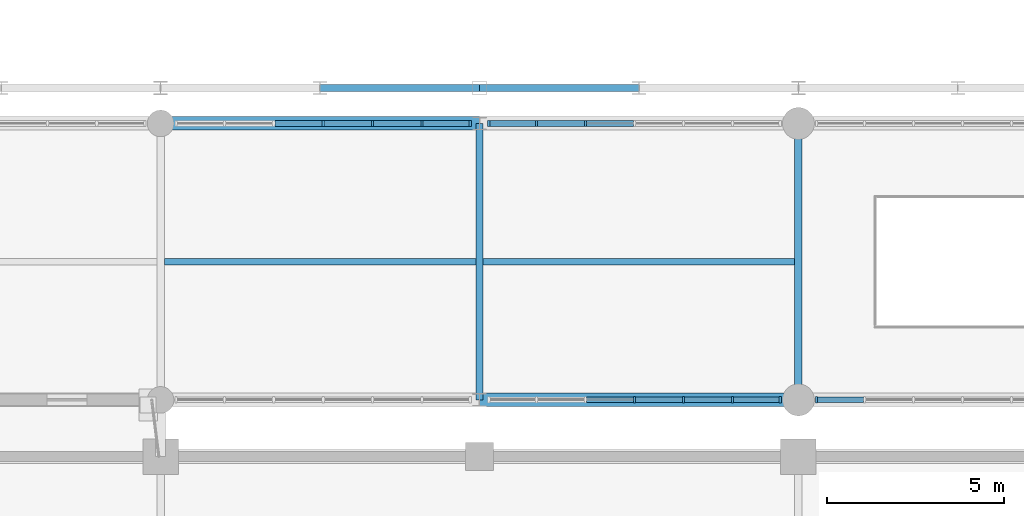
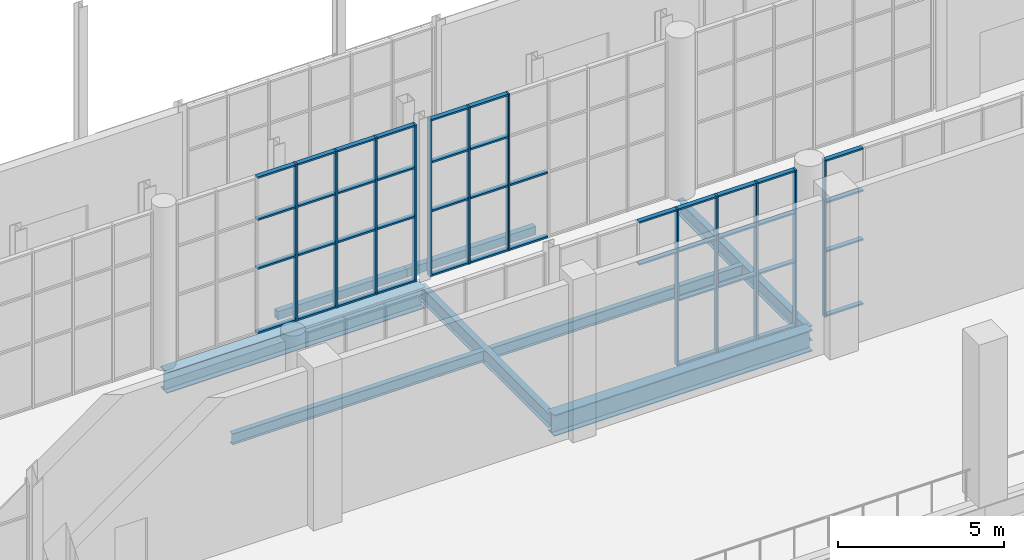
# One storey, part 45 of 159: 56 members, 8 beams, 4 elements without a shape of their own.
"""IFC4 building model written with IfcOpenShell, lengths in metres."""

from ifc_helpers import new_model, si_unit, direction, frame, origin, origin_2d, place, context, subcontext, project, spatial, rectangle, hollow_rectangle, i_section, extrude, material, layer, layer_set, material_profile, profile_set, type_object, element, aggregate, save


model = new_model("IFC4")

# Units and contexts
model_context = context("Model", 3, precision=1e-05, world=origin(), true_north=direction((0.0, 1.0)))
body_context = subcontext(model_context, "Body", "Model", "MODEL_VIEW")
ifc_project = project(units=[si_unit("LENGTHUNIT", "METRE"), si_unit("AREAUNIT", "SQUARE_METRE"), si_unit("VOLUMEUNIT", "CUBIC_METRE"), si_unit("PLANEANGLEUNIT", "RADIAN"), si_unit("MASSUNIT", "GRAM", prefix="KILO")], contexts=[model_context])

# Site, building, storey
site_placement = place(None, origin())
site = spatial("IfcSite", under=ifc_project, at=site_placement, CompositionType="ELEMENT")
building_placement = place(site_placement, origin())
building = spatial("IfcBuilding", under=site, at=building_placement, Name="Cazmaro Siding Exhibition Halls", CompositionType="ELEMENT")
storey_placement = place(building_placement, frame((0.0, 0.0, 6.0)))
storey = spatial("IfcBuildingStorey", under=building, at=storey_placement, Name="L01", CompositionType="ELEMENT", Elevation=6.0)

# Beams
ifc_material_1 = material(Name="Steel ASTM A992 Grade 50", Category="steel")
ifc_material_profile_1 = material_profile(ifc_material_1, i_section(OverallWidth=0.2099609375, OverallDepth=0.535888671875, WebThickness=0.010986328125, FlangeThickness=0.01708984375, at=origin_2d()), Name="W21X68")
ifc_profile_set_1 = profile_set([ifc_material_profile_1], Name="Steel ASTM A992 Grade 50")
beam_type_1 = type_object("IfcBeamType", Name="B-02", PredefinedType="BEAM", material=ifc_profile_set_1)
for number, where, z_axis, x_axis, name in (
    (1, (117.0, 55.199951171875, -0.488037109375), (0.0, 1.0, 0.0), (-1.0, 0.0, 0.0), "Beam B-02 BM-1711"),
    (2, (126.0, 55.199951171875, -0.488037109375), (0.0, 1.0, 0.0), (-1.0, 0.0, 0.0), "Beam B-02 BM-1714"),
):
    element("IfcBeam", number, at=place(storey_placement, frame(where, z_axis=z_axis, x_axis=x_axis)), inside=storey, type_object=beam_type_1, Name=name, PredefinedType="BEAM", context=body_context, shape_type="SweptSolid", body=[
        extrude(i_section(OverallWidth=0.2099609375, OverallDepth=0.535888671875, WebThickness=0.010986328125, FlangeThickness=0.01708984375, at=origin_2d()), origin(), (0.0, 0.0, 1.0), 7.800048828125),
    ])

# Curtain wall, members
ifc_material_2 = material(Name="Anodized Bronze Aluminum and Solar-Control Low-E Glazing", Category="aluminium")
ifc_layer = layer(ifc_material_2, 0.179931640625)
ifc_layer_set = layer_set([ifc_layer], Name="Anodized Bronze Aluminum and Solar-Control Low-E Glazing")
curtain_wall_type = type_object("IfcCurtainWallType", Name="CWS-01", PredefinedType="USERDEFINED", material=ifc_layer_set)
curtain_wall_1_placement = place(storey_placement, origin())
curtain_wall_1 = element("IfcCurtainWall", 3, at=curtain_wall_1_placement, inside=storey, type_object=curtain_wall_type, Name="Glazed Curtain Wall CWS-01 CW-183", ObjectType="GLAZED CURTAIN WALL", PredefinedType="USERDEFINED")
ifc_material_3 = material(Name="Anodized Bronze Extruded Aluminum", Category="aluminium")
ifc_material_profile_2 = material_profile(ifc_material_3, rectangle(XDim=0.179931640625, YDim=0.06005859375, at=origin_2d()), Name="CWM-01")
ifc_profile_set_2 = profile_set([ifc_material_profile_2], Name="Anodized Bronze Extruded Aluminum")
member_type_1 = type_object("IfcMemberType", Name="CWM-01", PredefinedType="MULLION", material=ifc_profile_set_2)
member_1_placement = place(storey_placement, frame((116.739990234375, 63.0, 0.0), z_axis=(0.0, 0.0, 1.0), x_axis=(0.0, -1.0, 0.0)))
member_1 = element("IfcMember", 4, at=member_1_placement, type_object=member_type_1, Name="CWS-01 mullion 1", PredefinedType="MULLION", context=body_context, shape_type="SweptSolid", body=[
    extrude(rectangle(XDim=0.179931640625, YDim=0.06005859375, at=origin_2d()), origin(), (0.0, 0.0, 1.0), 5.780029296875),
])
member_2_placement = place(storey_placement, frame((115.376220703125, 63.0, 0.0), z_axis=(0.0, 0.0, 1.0), x_axis=(0.0, -1.0, 0.0)))
member_2 = element("IfcMember", 5, at=member_2_placement, type_object=member_type_1, Name="CWS-01 mullion 2", PredefinedType="MULLION", context=body_context, shape_type="SweptSolid", body=[
    extrude(rectangle(XDim=0.179931640625, YDim=0.06005859375, at=origin_2d()), origin(), (0.0, 0.0, 1.0), 5.780029296875),
])
member_3_placement = place(storey_placement, frame((113.982666015625, 63.0, 0.0), z_axis=(0.0, 0.0, 1.0), x_axis=(0.0, -1.0, 0.0)))
member_3 = element("IfcMember", 6, at=member_3_placement, type_object=member_type_1, Name="CWS-01 mullion 3", PredefinedType="MULLION", context=body_context, shape_type="SweptSolid", body=[
    extrude(rectangle(XDim=0.179931640625, YDim=0.06005859375, at=origin_2d()), origin(), (0.0, 0.0, 1.0), 5.780029296875),
])
member_4_placement = place(storey_placement, frame((112.589111328125, 63.0, 0.0), z_axis=(0.0, 0.0, 1.0), x_axis=(0.0, -1.0, 0.0)))
member_4 = element("IfcMember", 7, at=member_4_placement, type_object=member_type_1, Name="CWS-01 mullion 4", PredefinedType="MULLION", context=body_context, shape_type="SweptSolid", body=[
    extrude(rectangle(XDim=0.179931640625, YDim=0.06005859375, at=origin_2d()), origin(), (0.0, 0.0, 1.0), 5.780029296875),
])

curtain_wall_2_placement = place(storey_placement, origin())
curtain_wall_2 = element("IfcCurtainWall", 8, at=curtain_wall_2_placement, inside=storey, type_object=curtain_wall_type, Name="Glazed Curtain Wall CWS-01 CW-186", ObjectType="GLAZED CURTAIN WALL", PredefinedType="USERDEFINED")
member_5_placement = place(storey_placement, frame((121.37353515625, 55.199951171875, 0.0), z_axis=(0.0, 0.0, 1.0), x_axis=(0.0, 1.0, 0.0)))
member_5 = element("IfcMember", 9, at=member_5_placement, type_object=member_type_1, Name="CWS-01 mullion 4", PredefinedType="MULLION", context=body_context, shape_type="SweptSolid", body=[
    extrude(rectangle(XDim=0.179931640625, YDim=0.06005859375, at=origin_2d()), origin(), (0.0, 0.0, 1.0), 5.780029296875),
])
member_6_placement = place(storey_placement, frame((122.754638671875, 55.199951171875, 0.0), z_axis=(0.0, 0.0, 1.0), x_axis=(0.0, 1.0, 0.0)))
member_6 = element("IfcMember", 10, at=member_6_placement, type_object=member_type_1, Name="CWS-01 mullion 5", PredefinedType="MULLION", context=body_context, shape_type="SweptSolid", body=[
    extrude(rectangle(XDim=0.179931640625, YDim=0.06005859375, at=origin_2d()), origin(), (0.0, 0.0, 1.0), 5.780029296875),
])
member_7_placement = place(storey_placement, frame((124.1357421875, 55.199951171875, 0.0), z_axis=(0.0, 0.0, 1.0), x_axis=(0.0, 1.0, 0.0)))
member_7 = element("IfcMember", 11, at=member_7_placement, type_object=member_type_1, Name="CWS-01 mullion 6", PredefinedType="MULLION", context=body_context, shape_type="SweptSolid", body=[
    extrude(rectangle(XDim=0.179931640625, YDim=0.06005859375, at=origin_2d()), origin(), (0.0, 0.0, 1.0), 5.780029296875),
])
member_8_placement = place(storey_placement, frame((125.487060546875, 55.199951171875, 0.0), z_axis=(0.0, 0.0, 1.0), x_axis=(0.0, 1.0, 0.0)))
member_8 = element("IfcMember", 12, at=member_8_placement, type_object=member_type_1, Name="CWS-01 mullion 7", PredefinedType="MULLION", context=body_context, shape_type="SweptSolid", body=[
    extrude(rectangle(XDim=0.179931640625, YDim=0.06005859375, at=origin_2d()), origin(), (0.0, 0.0, 1.0), 5.780029296875),
])

curtain_wall_3_placement = place(storey_placement, origin())
curtain_wall_3 = element("IfcCurtainWall", 13, at=curtain_wall_3_placement, inside=storey, type_object=curtain_wall_type, Name="Glazed Curtain Wall CWS-01 CW-188", ObjectType="GLAZED CURTAIN WALL", PredefinedType="USERDEFINED")
member_9_placement = place(storey_placement, frame((119.992431640625, 63.0, 0.0), z_axis=(0.0, 0.0, 1.0), x_axis=(0.0, -1.0, 0.0)))
member_9 = element("IfcMember", 14, at=member_9_placement, type_object=member_type_1, Name="CWS-01 mullion 5", PredefinedType="MULLION", context=body_context, shape_type="SweptSolid", body=[
    extrude(rectangle(XDim=0.179931640625, YDim=0.06005859375, at=origin_2d()), origin(), (0.0, 0.0, 1.0), 5.780029296875),
])
member_10_placement = place(storey_placement, frame((118.611083984375, 63.0, 0.0), z_axis=(0.0, 0.0, 1.0), x_axis=(0.0, -1.0, 0.0)))
member_10 = element("IfcMember", 15, at=member_10_placement, type_object=member_type_1, Name="CWS-01 mullion 6", PredefinedType="MULLION", context=body_context, shape_type="SweptSolid", body=[
    extrude(rectangle(XDim=0.179931640625, YDim=0.06005859375, at=origin_2d()), origin(), (0.0, 0.0, 1.0), 5.780029296875),
])
member_11_placement = place(storey_placement, frame((117.260009765625, 63.0, 0.0), z_axis=(0.0, 0.0, 1.0), x_axis=(0.0, -1.0, 0.0)))
member_11 = element("IfcMember", 16, at=member_11_placement, type_object=member_type_1, Name="CWS-01 mullion 7", PredefinedType="MULLION", context=body_context, shape_type="SweptSolid", body=[
    extrude(rectangle(XDim=0.179931640625, YDim=0.06005859375, at=origin_2d()), origin(), (0.0, 0.0, 1.0), 5.780029296875),
])

# Curtain wall, member
curtain_wall_4_placement = place(storey_placement, origin())
curtain_wall_4 = element("IfcCurtainWall", 17, at=curtain_wall_4_placement, inside=storey, type_object=curtain_wall_type, Name="Glazed Curtain Wall CWS-01 CW-192", ObjectType="GLAZED CURTAIN WALL", PredefinedType="USERDEFINED")
member_12_placement = place(storey_placement, frame((126.512939453125, 55.199951171875, 0.0), z_axis=(0.0, 0.0, 1.0), x_axis=(0.0, 1.0, 0.0)))
member_12 = element("IfcMember", 18, at=member_12_placement, type_object=member_type_1, Name="CWS-01 mullion 1", PredefinedType="MULLION", context=body_context, shape_type="SweptSolid", body=[
    extrude(rectangle(XDim=0.179931640625, YDim=0.06005859375, at=origin_2d()), origin(), (0.0, 0.0, 1.0), 5.780029296875),
])

# Member
ifc_material_4 = material(Name="Anodized Bronze Extruded Aluminum", Category="aluminium")
ifc_material_profile_3 = material_profile(ifc_material_4, rectangle(XDim=0.159912109375, YDim=0.06005859375, at=origin_2d()), Name="CWT-01")
ifc_profile_set_3 = profile_set([ifc_material_profile_3], Name="Anodized Bronze Extruded Aluminum")
member_type_2 = type_object("IfcMemberType", Name="CWT-01", PredefinedType="MULLION", material=ifc_profile_set_3)
member_13_placement = place(storey_placement, frame((116.7099609375, 63.0, 0.030029296875), z_axis=(-1.0, 0.0, 0.0), x_axis=(0.0, -1.0, 0.0)))
member_13 = element("IfcMember", 19, at=member_13_placement, type_object=member_type_2, Name="CWS-01 transom 1.1", ObjectType="TRANSOM", PredefinedType="USERDEFINED", context=body_context, shape_type="SweptSolid", body=[
    extrude(rectangle(XDim=0.159912109375, YDim=0.06005859375, at=origin_2d()), origin(), (0.0, 0.0, 1.0), 1.3037109375),
])

member_14_placement = place(storey_placement, frame((116.7099609375, 63.0, 2.39990234375), z_axis=(-1.0, 0.0, 0.0), x_axis=(0.0, -1.0, 0.0)))
member_14 = element("IfcMember", 20, at=member_14_placement, type_object=member_type_2, Name="CWS-01 transom 1.2", ObjectType="TRANSOM", PredefinedType="USERDEFINED", context=body_context, shape_type="SweptSolid", body=[
    extrude(rectangle(XDim=0.159912109375, YDim=0.06005859375, at=origin_2d()), origin(), (0.0, 0.0, 1.0), 1.3037109375),
])

member_15_placement = place(storey_placement, frame((116.7099609375, 63.0, 4.199951171875), z_axis=(-1.0, 0.0, 0.0), x_axis=(0.0, -1.0, 0.0)))
member_15 = element("IfcMember", 21, at=member_15_placement, type_object=member_type_2, Name="CWS-01 transom 1.3", ObjectType="TRANSOM", PredefinedType="USERDEFINED", context=body_context, shape_type="SweptSolid", body=[
    extrude(rectangle(XDim=0.159912109375, YDim=0.06005859375, at=origin_2d()), origin(), (0.0, 0.0, 1.0), 1.3037109375),
])

member_16_placement = place(storey_placement, frame((116.7099609375, 63.0, 5.75), z_axis=(-1.0, 0.0, 0.0), x_axis=(0.0, -1.0, 0.0)))
member_16 = element("IfcMember", 22, at=member_16_placement, type_object=member_type_2, Name="CWS-01 transom 1.4", ObjectType="TRANSOM", PredefinedType="USERDEFINED", context=body_context, shape_type="SweptSolid", body=[
    extrude(rectangle(XDim=0.159912109375, YDim=0.06005859375, at=origin_2d()), origin(), (0.0, 0.0, 1.0), 1.3037109375),
])

member_17_placement = place(storey_placement, frame((115.346435546875, 63.0, 0.030029296875), z_axis=(-1.0, 0.0, 0.0), x_axis=(0.0, -1.0, 0.0)))
member_17 = element("IfcMember", 23, at=member_17_placement, type_object=member_type_2, Name="CWS-01 transom 2.1", ObjectType="TRANSOM", PredefinedType="USERDEFINED", context=body_context, shape_type="SweptSolid", body=[
    extrude(rectangle(XDim=0.159912109375, YDim=0.06005859375, at=origin_2d()), origin(), (0.0, 0.0, 1.0), 1.333740234375),
])

member_18_placement = place(storey_placement, frame((115.346435546875, 63.0, 2.39990234375), z_axis=(-1.0, 0.0, 0.0), x_axis=(0.0, -1.0, 0.0)))
member_18 = element("IfcMember", 24, at=member_18_placement, type_object=member_type_2, Name="CWS-01 transom 2.2", ObjectType="TRANSOM", PredefinedType="USERDEFINED", context=body_context, shape_type="SweptSolid", body=[
    extrude(rectangle(XDim=0.159912109375, YDim=0.06005859375, at=origin_2d()), origin(), (0.0, 0.0, 1.0), 1.333740234375),
])

member_19_placement = place(storey_placement, frame((115.346435546875, 63.0, 4.199951171875), z_axis=(-1.0, 0.0, 0.0), x_axis=(0.0, -1.0, 0.0)))
member_19 = element("IfcMember", 25, at=member_19_placement, type_object=member_type_2, Name="CWS-01 transom 2.3", ObjectType="TRANSOM", PredefinedType="USERDEFINED", context=body_context, shape_type="SweptSolid", body=[
    extrude(rectangle(XDim=0.159912109375, YDim=0.06005859375, at=origin_2d()), origin(), (0.0, 0.0, 1.0), 1.333740234375),
])

member_20_placement = place(storey_placement, frame((115.346435546875, 63.0, 5.75), z_axis=(-1.0, 0.0, 0.0), x_axis=(0.0, -1.0, 0.0)))
member_20 = element("IfcMember", 26, at=member_20_placement, type_object=member_type_2, Name="CWS-01 transom 2.4", ObjectType="TRANSOM", PredefinedType="USERDEFINED", context=body_context, shape_type="SweptSolid", body=[
    extrude(rectangle(XDim=0.159912109375, YDim=0.06005859375, at=origin_2d()), origin(), (0.0, 0.0, 1.0), 1.333740234375),
])

member_21_placement = place(storey_placement, frame((113.95263671875, 63.0, 0.030029296875), z_axis=(-1.0, 0.0, 0.0), x_axis=(0.0, -1.0, 0.0)))
member_21 = element("IfcMember", 27, at=member_21_placement, type_object=member_type_2, Name="CWS-01 transom 3.1", ObjectType="TRANSOM", PredefinedType="USERDEFINED", context=body_context, shape_type="SweptSolid", body=[
    extrude(rectangle(XDim=0.159912109375, YDim=0.06005859375, at=origin_2d()), origin(), (0.0, 0.0, 1.0), 1.333740234375),
])

member_22_placement = place(storey_placement, frame((113.95263671875, 63.0, 2.39990234375), z_axis=(-1.0, 0.0, 0.0), x_axis=(0.0, -1.0, 0.0)))
member_22 = element("IfcMember", 28, at=member_22_placement, type_object=member_type_2, Name="CWS-01 transom 3.2", ObjectType="TRANSOM", PredefinedType="USERDEFINED", context=body_context, shape_type="SweptSolid", body=[
    extrude(rectangle(XDim=0.159912109375, YDim=0.06005859375, at=origin_2d()), origin(), (0.0, 0.0, 1.0), 1.333740234375),
])

member_23_placement = place(storey_placement, frame((113.95263671875, 63.0, 4.199951171875), z_axis=(-1.0, 0.0, 0.0), x_axis=(0.0, -1.0, 0.0)))
member_23 = element("IfcMember", 29, at=member_23_placement, type_object=member_type_2, Name="CWS-01 transom 3.3", ObjectType="TRANSOM", PredefinedType="USERDEFINED", context=body_context, shape_type="SweptSolid", body=[
    extrude(rectangle(XDim=0.159912109375, YDim=0.06005859375, at=origin_2d()), origin(), (0.0, 0.0, 1.0), 1.333740234375),
])

member_24_placement = place(storey_placement, frame((113.95263671875, 63.0, 5.75), z_axis=(-1.0, 0.0, 0.0), x_axis=(0.0, -1.0, 0.0)))
member_24 = element("IfcMember", 30, at=member_24_placement, type_object=member_type_2, Name="CWS-01 transom 3.4", ObjectType="TRANSOM", PredefinedType="USERDEFINED", context=body_context, shape_type="SweptSolid", body=[
    extrude(rectangle(XDim=0.159912109375, YDim=0.06005859375, at=origin_2d()), origin(), (0.0, 0.0, 1.0), 1.333740234375),
])

member_25_placement = place(storey_placement, frame((112.55908203125, 63.0, 0.030029296875), z_axis=(-1.0, 0.0, 0.0), x_axis=(0.0, -1.0, 0.0)))
member_25 = element("IfcMember", 31, at=member_25_placement, type_object=member_type_2, Name="CWS-01 transom 4.1", ObjectType="TRANSOM", PredefinedType="USERDEFINED", context=body_context, shape_type="SweptSolid", body=[
    extrude(rectangle(XDim=0.159912109375, YDim=0.06005859375, at=origin_2d()), origin(), (0.0, 0.0, 1.0), 1.333740234375),
])

member_26_placement = place(storey_placement, frame((112.55908203125, 63.0, 2.39990234375), z_axis=(-1.0, 0.0, 0.0), x_axis=(0.0, -1.0, 0.0)))
member_26 = element("IfcMember", 32, at=member_26_placement, type_object=member_type_2, Name="CWS-01 transom 4.2", ObjectType="TRANSOM", PredefinedType="USERDEFINED", context=body_context, shape_type="SweptSolid", body=[
    extrude(rectangle(XDim=0.159912109375, YDim=0.06005859375, at=origin_2d()), origin(), (0.0, 0.0, 1.0), 1.333740234375),
])

member_27_placement = place(storey_placement, frame((112.55908203125, 63.0, 4.199951171875), z_axis=(-1.0, 0.0, 0.0), x_axis=(0.0, -1.0, 0.0)))
member_27 = element("IfcMember", 33, at=member_27_placement, type_object=member_type_2, Name="CWS-01 transom 4.3", ObjectType="TRANSOM", PredefinedType="USERDEFINED", context=body_context, shape_type="SweptSolid", body=[
    extrude(rectangle(XDim=0.159912109375, YDim=0.06005859375, at=origin_2d()), origin(), (0.0, 0.0, 1.0), 1.333740234375),
])

member_28_placement = place(storey_placement, frame((112.55908203125, 63.0, 5.75), z_axis=(-1.0, 0.0, 0.0), x_axis=(0.0, -1.0, 0.0)))
member_28 = element("IfcMember", 34, at=member_28_placement, type_object=member_type_2, Name="CWS-01 transom 4.4", ObjectType="TRANSOM", PredefinedType="USERDEFINED", context=body_context, shape_type="SweptSolid", body=[
    extrude(rectangle(XDim=0.159912109375, YDim=0.06005859375, at=origin_2d()), origin(), (0.0, 0.0, 1.0), 1.333740234375),
])

aggregate(curtain_wall_1, [member_1, member_2, member_3, member_4, member_13, member_14, member_15, member_16, member_17, member_18, member_19, member_20, member_21, member_22, member_23, member_24, member_25, member_26, member_27, member_28])

member_29_placement = place(storey_placement, frame((120.022216796875, 55.199951171875, 4.199951171875), z_axis=(1.0, 0.0, 0.0), x_axis=(0.0, 1.0, 0.0)))
member_29 = element("IfcMember", 35, at=member_29_placement, type_object=member_type_2, Name="CWS-01 transom 3.3", ObjectType="TRANSOM", PredefinedType="USERDEFINED", context=body_context, shape_type="SweptSolid", body=[
    extrude(rectangle(XDim=0.159912109375, YDim=0.06005859375, at=origin_2d()), origin(), (0.0, 0.0, 1.0), 1.3212890625),
])

member_30_placement = place(storey_placement, frame((120.022216796875, 55.199951171875, 5.75), z_axis=(1.0, 0.0, 0.0), x_axis=(0.0, 1.0, 0.0)))
member_30 = element("IfcMember", 36, at=member_30_placement, type_object=member_type_2, Name="CWS-01 transom 3.4", ObjectType="TRANSOM", PredefinedType="USERDEFINED", context=body_context, shape_type="SweptSolid", body=[
    extrude(rectangle(XDim=0.159912109375, YDim=0.06005859375, at=origin_2d()), origin(), (0.0, 0.0, 1.0), 1.3212890625),
])

member_31_placement = place(storey_placement, frame((121.403564453125, 55.199951171875, 0.030029296875), z_axis=(1.0, 0.0, 0.0), x_axis=(0.0, 1.0, 0.0)))
member_31 = element("IfcMember", 37, at=member_31_placement, type_object=member_type_2, Name="CWS-01 transom 4.1", ObjectType="TRANSOM", PredefinedType="USERDEFINED", context=body_context, shape_type="SweptSolid", body=[
    extrude(rectangle(XDim=0.159912109375, YDim=0.06005859375, at=origin_2d()), origin(), (0.0, 0.0, 1.0), 1.321044921875),
])

member_32_placement = place(storey_placement, frame((121.403564453125, 55.199951171875, 2.39990234375), z_axis=(1.0, 0.0, 0.0), x_axis=(0.0, 1.0, 0.0)))
member_32 = element("IfcMember", 38, at=member_32_placement, type_object=member_type_2, Name="CWS-01 transom 4.2", ObjectType="TRANSOM", PredefinedType="USERDEFINED", context=body_context, shape_type="SweptSolid", body=[
    extrude(rectangle(XDim=0.159912109375, YDim=0.06005859375, at=origin_2d()), origin(), (0.0, 0.0, 1.0), 1.321044921875),
])

member_33_placement = place(storey_placement, frame((121.403564453125, 55.199951171875, 4.199951171875), z_axis=(1.0, 0.0, 0.0), x_axis=(0.0, 1.0, 0.0)))
member_33 = element("IfcMember", 39, at=member_33_placement, type_object=member_type_2, Name="CWS-01 transom 4.3", ObjectType="TRANSOM", PredefinedType="USERDEFINED", context=body_context, shape_type="SweptSolid", body=[
    extrude(rectangle(XDim=0.159912109375, YDim=0.06005859375, at=origin_2d()), origin(), (0.0, 0.0, 1.0), 1.321044921875),
])

member_34_placement = place(storey_placement, frame((121.403564453125, 55.199951171875, 5.75), z_axis=(1.0, 0.0, 0.0), x_axis=(0.0, 1.0, 0.0)))
member_34 = element("IfcMember", 40, at=member_34_placement, type_object=member_type_2, Name="CWS-01 transom 4.4", ObjectType="TRANSOM", PredefinedType="USERDEFINED", context=body_context, shape_type="SweptSolid", body=[
    extrude(rectangle(XDim=0.159912109375, YDim=0.06005859375, at=origin_2d()), origin(), (0.0, 0.0, 1.0), 1.321044921875),
])

member_35_placement = place(storey_placement, frame((122.78466796875, 55.199951171875, 0.030029296875), z_axis=(1.0, 0.0, 0.0), x_axis=(0.0, 1.0, 0.0)))
member_35 = element("IfcMember", 41, at=member_35_placement, type_object=member_type_2, Name="CWS-01 transom 5.1", ObjectType="TRANSOM", PredefinedType="USERDEFINED", context=body_context, shape_type="SweptSolid", body=[
    extrude(rectangle(XDim=0.159912109375, YDim=0.06005859375, at=origin_2d()), origin(), (0.0, 0.0, 1.0), 1.321044921875),
])

member_36_placement = place(storey_placement, frame((122.78466796875, 55.199951171875, 2.39990234375), z_axis=(1.0, 0.0, 0.0), x_axis=(0.0, 1.0, 0.0)))
member_36 = element("IfcMember", 42, at=member_36_placement, type_object=member_type_2, Name="CWS-01 transom 5.2", ObjectType="TRANSOM", PredefinedType="USERDEFINED", context=body_context, shape_type="SweptSolid", body=[
    extrude(rectangle(XDim=0.159912109375, YDim=0.06005859375, at=origin_2d()), origin(), (0.0, 0.0, 1.0), 1.321044921875),
])

member_37_placement = place(storey_placement, frame((122.78466796875, 55.199951171875, 4.199951171875), z_axis=(1.0, 0.0, 0.0), x_axis=(0.0, 1.0, 0.0)))
member_37 = element("IfcMember", 43, at=member_37_placement, type_object=member_type_2, Name="CWS-01 transom 5.3", ObjectType="TRANSOM", PredefinedType="USERDEFINED", context=body_context, shape_type="SweptSolid", body=[
    extrude(rectangle(XDim=0.159912109375, YDim=0.06005859375, at=origin_2d()), origin(), (0.0, 0.0, 1.0), 1.321044921875),
])

member_38_placement = place(storey_placement, frame((122.78466796875, 55.199951171875, 5.75), z_axis=(1.0, 0.0, 0.0), x_axis=(0.0, 1.0, 0.0)))
member_38 = element("IfcMember", 44, at=member_38_placement, type_object=member_type_2, Name="CWS-01 transom 5.4", ObjectType="TRANSOM", PredefinedType="USERDEFINED", context=body_context, shape_type="SweptSolid", body=[
    extrude(rectangle(XDim=0.159912109375, YDim=0.06005859375, at=origin_2d()), origin(), (0.0, 0.0, 1.0), 1.321044921875),
])

member_39_placement = place(storey_placement, frame((124.165771484375, 55.199951171875, 0.030029296875), z_axis=(1.0, 0.0, 0.0), x_axis=(0.0, 1.0, 0.0)))
member_39 = element("IfcMember", 45, at=member_39_placement, type_object=member_type_2, Name="CWS-01 transom 6.1", ObjectType="TRANSOM", PredefinedType="USERDEFINED", context=body_context, shape_type="SweptSolid", body=[
    extrude(rectangle(XDim=0.159912109375, YDim=0.06005859375, at=origin_2d()), origin(), (0.0, 0.0, 1.0), 1.291259765625),
])

member_40_placement = place(storey_placement, frame((124.165771484375, 55.199951171875, 2.39990234375), z_axis=(1.0, 0.0, 0.0), x_axis=(0.0, 1.0, 0.0)))
member_40 = element("IfcMember", 46, at=member_40_placement, type_object=member_type_2, Name="CWS-01 transom 6.2", ObjectType="TRANSOM", PredefinedType="USERDEFINED", context=body_context, shape_type="SweptSolid", body=[
    extrude(rectangle(XDim=0.159912109375, YDim=0.06005859375, at=origin_2d()), origin(), (0.0, 0.0, 1.0), 1.291259765625),
])

member_41_placement = place(storey_placement, frame((124.165771484375, 55.199951171875, 4.199951171875), z_axis=(1.0, 0.0, 0.0), x_axis=(0.0, 1.0, 0.0)))
member_41 = element("IfcMember", 47, at=member_41_placement, type_object=member_type_2, Name="CWS-01 transom 6.3", ObjectType="TRANSOM", PredefinedType="USERDEFINED", context=body_context, shape_type="SweptSolid", body=[
    extrude(rectangle(XDim=0.159912109375, YDim=0.06005859375, at=origin_2d()), origin(), (0.0, 0.0, 1.0), 1.291259765625),
])

member_42_placement = place(storey_placement, frame((124.165771484375, 55.199951171875, 5.75), z_axis=(1.0, 0.0, 0.0), x_axis=(0.0, 1.0, 0.0)))
member_42 = element("IfcMember", 48, at=member_42_placement, type_object=member_type_2, Name="CWS-01 transom 6.4", ObjectType="TRANSOM", PredefinedType="USERDEFINED", context=body_context, shape_type="SweptSolid", body=[
    extrude(rectangle(XDim=0.159912109375, YDim=0.06005859375, at=origin_2d()), origin(), (0.0, 0.0, 1.0), 1.291259765625),
])

aggregate(curtain_wall_2, [member_5, member_6, member_7, member_8, member_29, member_30, member_31, member_32, member_33, member_34, member_35, member_36, member_37, member_38, member_39, member_40, member_41, member_42])

member_43_placement = place(storey_placement, frame((121.343505859375, 63.0, 0.030029296875), z_axis=(-1.0, 0.0, 0.0), x_axis=(0.0, -1.0, 0.0)))
member_43 = element("IfcMember", 49, at=member_43_placement, type_object=member_type_2, Name="CWS-01 transom 4.1", ObjectType="TRANSOM", PredefinedType="USERDEFINED", context=body_context, shape_type="SweptSolid", body=[
    extrude(rectangle(XDim=0.159912109375, YDim=0.06005859375, at=origin_2d()), origin(), (0.0, 0.0, 1.0), 1.3212890625),
])

member_44_placement = place(storey_placement, frame((121.343505859375, 63.0, 2.39990234375), z_axis=(-1.0, 0.0, 0.0), x_axis=(0.0, -1.0, 0.0)))
member_44 = element("IfcMember", 50, at=member_44_placement, type_object=member_type_2, Name="CWS-01 transom 4.2", ObjectType="TRANSOM", PredefinedType="USERDEFINED", context=body_context, shape_type="SweptSolid", body=[
    extrude(rectangle(XDim=0.159912109375, YDim=0.06005859375, at=origin_2d()), origin(), (0.0, 0.0, 1.0), 1.3212890625),
])

member_45_placement = place(storey_placement, frame((119.96240234375, 63.0, 0.030029296875), z_axis=(-1.0, 0.0, 0.0), x_axis=(0.0, -1.0, 0.0)))
member_45 = element("IfcMember", 51, at=member_45_placement, type_object=member_type_2, Name="CWS-01 transom 5.1", ObjectType="TRANSOM", PredefinedType="USERDEFINED", context=body_context, shape_type="SweptSolid", body=[
    extrude(rectangle(XDim=0.159912109375, YDim=0.06005859375, at=origin_2d()), origin(), (0.0, 0.0, 1.0), 1.3212890625),
])

member_46_placement = place(storey_placement, frame((119.96240234375, 63.0, 2.39990234375), z_axis=(-1.0, 0.0, 0.0), x_axis=(0.0, -1.0, 0.0)))
member_46 = element("IfcMember", 52, at=member_46_placement, type_object=member_type_2, Name="CWS-01 transom 5.2", ObjectType="TRANSOM", PredefinedType="USERDEFINED", context=body_context, shape_type="SweptSolid", body=[
    extrude(rectangle(XDim=0.159912109375, YDim=0.06005859375, at=origin_2d()), origin(), (0.0, 0.0, 1.0), 1.3212890625),
])

member_47_placement = place(storey_placement, frame((119.96240234375, 63.0, 4.199951171875), z_axis=(-1.0, 0.0, 0.0), x_axis=(0.0, -1.0, 0.0)))
member_47 = element("IfcMember", 53, at=member_47_placement, type_object=member_type_2, Name="CWS-01 transom 5.3", ObjectType="TRANSOM", PredefinedType="USERDEFINED", context=body_context, shape_type="SweptSolid", body=[
    extrude(rectangle(XDim=0.159912109375, YDim=0.06005859375, at=origin_2d()), origin(), (0.0, 0.0, 1.0), 1.3212890625),
])

member_48_placement = place(storey_placement, frame((119.96240234375, 63.0, 5.75), z_axis=(-1.0, 0.0, 0.0), x_axis=(0.0, -1.0, 0.0)))
member_48 = element("IfcMember", 54, at=member_48_placement, type_object=member_type_2, Name="CWS-01 transom 5.4", ObjectType="TRANSOM", PredefinedType="USERDEFINED", context=body_context, shape_type="SweptSolid", body=[
    extrude(rectangle(XDim=0.159912109375, YDim=0.06005859375, at=origin_2d()), origin(), (0.0, 0.0, 1.0), 1.3212890625),
])

member_49_placement = place(storey_placement, frame((118.5810546875, 63.0, 0.030029296875), z_axis=(-1.0, 0.0, 0.0), x_axis=(0.0, -1.0, 0.0)))
member_49 = element("IfcMember", 55, at=member_49_placement, type_object=member_type_2, Name="CWS-01 transom 6.1", ObjectType="TRANSOM", PredefinedType="USERDEFINED", context=body_context, shape_type="SweptSolid", body=[
    extrude(rectangle(XDim=0.159912109375, YDim=0.06005859375, at=origin_2d()), origin(), (0.0, 0.0, 1.0), 1.291015625),
])

member_50_placement = place(storey_placement, frame((118.5810546875, 63.0, 2.39990234375), z_axis=(-1.0, 0.0, 0.0), x_axis=(0.0, -1.0, 0.0)))
member_50 = element("IfcMember", 56, at=member_50_placement, type_object=member_type_2, Name="CWS-01 transom 6.2", ObjectType="TRANSOM", PredefinedType="USERDEFINED", context=body_context, shape_type="SweptSolid", body=[
    extrude(rectangle(XDim=0.159912109375, YDim=0.06005859375, at=origin_2d()), origin(), (0.0, 0.0, 1.0), 1.291015625),
])

member_51_placement = place(storey_placement, frame((118.5810546875, 63.0, 4.199951171875), z_axis=(-1.0, 0.0, 0.0), x_axis=(0.0, -1.0, 0.0)))
member_51 = element("IfcMember", 57, at=member_51_placement, type_object=member_type_2, Name="CWS-01 transom 6.3", ObjectType="TRANSOM", PredefinedType="USERDEFINED", context=body_context, shape_type="SweptSolid", body=[
    extrude(rectangle(XDim=0.159912109375, YDim=0.06005859375, at=origin_2d()), origin(), (0.0, 0.0, 1.0), 1.291015625),
])

member_52_placement = place(storey_placement, frame((118.5810546875, 63.0, 5.75), z_axis=(-1.0, 0.0, 0.0), x_axis=(0.0, -1.0, 0.0)))
member_52 = element("IfcMember", 58, at=member_52_placement, type_object=member_type_2, Name="CWS-01 transom 6.4", ObjectType="TRANSOM", PredefinedType="USERDEFINED", context=body_context, shape_type="SweptSolid", body=[
    extrude(rectangle(XDim=0.159912109375, YDim=0.06005859375, at=origin_2d()), origin(), (0.0, 0.0, 1.0), 1.291015625),
])

aggregate(curtain_wall_3, [member_9, member_10, member_11, member_43, member_44, member_45, member_46, member_47, member_48, member_49, member_50, member_51, member_52])

member_53_placement = place(storey_placement, frame((126.54296875, 55.199951171875, 0.030029296875), z_axis=(1.0, 0.0, 0.0), x_axis=(0.0, 1.0, 0.0)))
member_53 = element("IfcMember", 59, at=member_53_placement, type_object=member_type_2, Name="CWS-01 transom 1.1", ObjectType="TRANSOM", PredefinedType="USERDEFINED", context=body_context, shape_type="SweptSolid", body=[
    extrude(rectangle(XDim=0.159912109375, YDim=0.06005859375, at=origin_2d()), origin(), (0.0, 0.0, 1.0), 1.291259765625),
])

member_54_placement = place(storey_placement, frame((126.54296875, 55.199951171875, 2.39990234375), z_axis=(1.0, 0.0, 0.0), x_axis=(0.0, 1.0, 0.0)))
member_54 = element("IfcMember", 60, at=member_54_placement, type_object=member_type_2, Name="CWS-01 transom 1.2", ObjectType="TRANSOM", PredefinedType="USERDEFINED", context=body_context, shape_type="SweptSolid", body=[
    extrude(rectangle(XDim=0.159912109375, YDim=0.06005859375, at=origin_2d()), origin(), (0.0, 0.0, 1.0), 1.291259765625),
])

member_55_placement = place(storey_placement, frame((126.54296875, 55.199951171875, 4.199951171875), z_axis=(1.0, 0.0, 0.0), x_axis=(0.0, 1.0, 0.0)))
member_55 = element("IfcMember", 61, at=member_55_placement, type_object=member_type_2, Name="CWS-01 transom 1.3", ObjectType="TRANSOM", PredefinedType="USERDEFINED", context=body_context, shape_type="SweptSolid", body=[
    extrude(rectangle(XDim=0.159912109375, YDim=0.06005859375, at=origin_2d()), origin(), (0.0, 0.0, 1.0), 1.291259765625),
])

member_56_placement = place(storey_placement, frame((126.54296875, 55.199951171875, 5.75), z_axis=(1.0, 0.0, 0.0), x_axis=(0.0, 1.0, 0.0)))
member_56 = element("IfcMember", 62, at=member_56_placement, type_object=member_type_2, Name="CWS-01 transom 1.4", ObjectType="TRANSOM", PredefinedType="USERDEFINED", context=body_context, shape_type="SweptSolid", body=[
    extrude(rectangle(XDim=0.159912109375, YDim=0.06005859375, at=origin_2d()), origin(), (0.0, 0.0, 1.0), 1.291259765625),
])

aggregate(curtain_wall_4, [member_12, member_53, member_54, member_55, member_56])

# Beams
ifc_material_5 = material(Name="Steel ASTM A992 Grade 50", Category="steel")
ifc_material_profile_4 = material_profile(ifc_material_5, i_section(OverallWidth=0.381103515625, OverallDepth=0.779052734375, WebThickness=0.01806640625, FlangeThickness=0.030029296875, at=origin_2d()), Name="W30X191")
ifc_profile_set_4 = profile_set([ifc_material_profile_4], Name="Steel ASTM A992 Grade 50")
beam_type_2 = type_object("IfcBeamType", Name="G-04", PredefinedType="USERDEFINED", material=ifc_profile_set_4)
for number, where, z_axis, x_axis, name in (
    (63, (108.0, 63.0, -0.60888671875), (1.0, 0.0, 0.0), (0.0, 1.0, 0.0), "Beam G-04 BM-1636"),
    (64, (117.0, 55.199951171875, -0.60888671875), (1.0, 0.0, 0.0), (0.0, 1.0, 0.0), "Beam G-04 BM-1644"),
):
    element("IfcBeam", number, at=place(storey_placement, frame(where, z_axis=z_axis, x_axis=x_axis)), inside=storey, type_object=beam_type_2, Name=name, ObjectType="GIRDER", PredefinedType="USERDEFINED", context=body_context, shape_type="SweptSolid", body=[
        extrude(i_section(OverallWidth=0.381103515625, OverallDepth=0.779052734375, WebThickness=0.01806640625, FlangeThickness=0.030029296875, at=origin_2d()), origin(), (0.0, 0.0, 1.0), 9.0),
    ])
ifc_material_6 = material(Name="Steel ASTM A992 Grade 50", Category="steel")
ifc_material_profile_5 = material_profile(ifc_material_6, i_section(OverallWidth=0.177978515625, OverallDepth=0.406005859375, WebThickness=0.008056640625, FlangeThickness=0.012939453125, at=origin_2d()), Name="W16X40")
ifc_profile_set_5 = profile_set([ifc_material_profile_5], Name="Steel ASTM A992 Grade 50")
beam_type_3 = type_object("IfcBeamType", Name="J-02", PredefinedType="JOIST", material=ifc_profile_set_5)
for number, where, z_axis, x_axis, name in (
    (65, (108.10498046875, 59.10009765625, -0.423095703125), (1.0, 0.0, 0.0), (0.0, 1.0, 0.0), "Beam J-02 BM-1637"),
    (66, (117.10498046875, 59.10009765625, -0.423095703125), (1.0, 0.0, 0.0), (0.0, 1.0, 0.0), "Beam J-02 BM-1646"),
):
    element("IfcBeam", number, at=place(storey_placement, frame(where, z_axis=z_axis, x_axis=x_axis)), inside=storey, type_object=beam_type_3, Name=name, PredefinedType="JOIST", context=body_context, shape_type="SweptSolid", body=[
        extrude(i_section(OverallWidth=0.177978515625, OverallDepth=0.406005859375, WebThickness=0.008056640625, FlangeThickness=0.012939453125, at=origin_2d()), origin(), (0.0, 0.0, 1.0), 8.7900390625),
    ])
ifc_material_7 = material(Name="Steel ASTM A500 Grade C", Category="steel")
ifc_material_profile_6 = material_profile(ifc_material_7, hollow_rectangle(XDim=0.202880859375, YDim=0.304931640625, WallThickness=0.011962890625, at=origin_2d()), Name="HSS12X8X1/2")
ifc_profile_set_6 = profile_set([ifc_material_profile_6], Name="Steel ASTM A500 Grade C")
beam_type_4 = type_object("IfcBeamType", Name="SP-01", PredefinedType="SPANDREL", material=ifc_profile_set_6)
for number, where, z_axis, x_axis, name in (
    (67, (112.5, 64.0, -0.3720703125), (1.0, 0.0, 0.0), (0.0, 1.0, 0.0), "Beam SP-01 BM-0151"),
    (68, (117.0, 64.0, -0.3720703125), (1.0, 0.0, 0.0), (0.0, 1.0, 0.0), "Beam SP-01 BM-0157"),
):
    element("IfcBeam", number, at=place(storey_placement, frame(where, z_axis=z_axis, x_axis=x_axis)), inside=storey, type_object=beam_type_4, Name=name, PredefinedType="SPANDREL", context=body_context, shape_type="SweptSolid", body=[
        extrude(hollow_rectangle(XDim=0.202880859375, YDim=0.304931640625, WallThickness=0.011962890625, at=origin_2d()), origin(), (0.0, 0.0, 1.0), 4.5),
    ])

save(model, "model.ifc")
